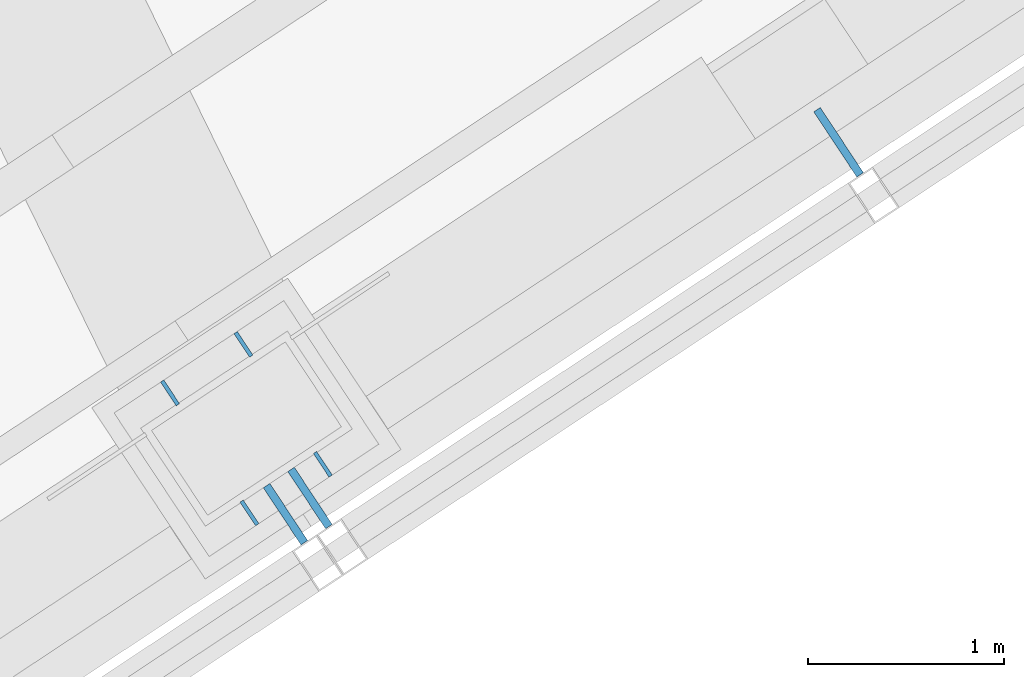
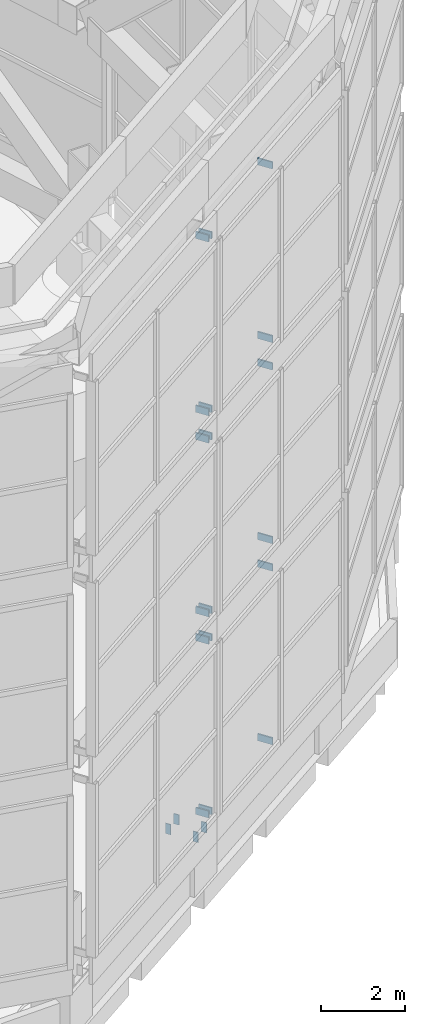
# One storey, part 32 of 46: 22 discrete accessories.
"""IFC4 building model written with IfcOpenShell, lengths in metres."""

from ifc_helpers import new_model, si_unit, direction, frame, origin, origin_2d, place, context, subcontext, project, spatial, rectangle, extrude, material, layer, layer_set, type_object, element, save


model = new_model("IFC4")

# Units and contexts
model_context = context("Model", 3, precision=1e-05, world=origin(), true_north=direction((0.0, 1.0)))
body_context = subcontext(model_context, "Body", "Model", "MODEL_VIEW")
ifc_project = project(units=[si_unit("LENGTHUNIT", "METRE"), si_unit("AREAUNIT", "SQUARE_METRE"), si_unit("VOLUMEUNIT", "CUBIC_METRE"), si_unit("PLANEANGLEUNIT", "RADIAN"), si_unit("MASSUNIT", "GRAM", prefix="KILO")], contexts=[model_context])

# Site, building, storey
site_placement = place(None, origin())
site = spatial("IfcSite", under=ifc_project, at=site_placement, CompositionType="ELEMENT")
building_placement = place(site_placement, origin())
building = spatial("IfcBuilding", under=site, at=building_placement, Name="Vanh Sen Convention Tower", CompositionType="ELEMENT")
storey_placement = place(building_placement, frame((0.0, 0.0, 305.0)))
storey = spatial("IfcBuildingStorey", under=building, at=storey_placement, Name="Roof level", CompositionType="ELEMENT", Elevation=305.0)

# Discrete accessories
ifc_material_1 = material(Name="Steel S355", Category="steel")
ifc_layer = layer(ifc_material_1, 0.02001953125)
ifc_layer_set = layer_set([ifc_layer], Name="Steel S355")
discrete_accessory_type_1 = type_object("IfcDiscreteAccessoryType", Name="Crown base plate stiffener 140 x 300 x 20", PredefinedType="USERDEFINED", material=ifc_layer_set)
for number, where, z_axis, x_axis, name in (
    (1, (8.319580078125, -16.59765625, 1.34521484375), (0.0, 0.0, 1.0), (-0.551936985312, 0.833885822067, 0.0), "STIFFENER crown column 17 rib 1"),
    (2, (7.9443359375, -16.845947265625, 1.34521484375), (0.0, 0.0, 1.0), (-0.551936985312, 0.833885822067, 0.0), "STIFFENER crown column 17 rib 2"),
    (3, (8.725341796875, -17.210693359375, 1.34521484375), (0.0, 0.0, 1.0), (-0.551936985312, 0.833885822067, 0.0), "STIFFENER crown column 17 rib 3"),
    (4, (8.35009765625, -17.458984375, 1.34521484375), (0.0, 0.0, 1.0), (-0.551936985312, 0.833885822067, 0.0), "STIFFENER crown column 17 rib 4"),
):
    element("IfcDiscreteAccessory", number, at=place(storey_placement, frame(where, z_axis=z_axis, x_axis=x_axis)), inside=storey, type_object=discrete_accessory_type_1, Name=name, ObjectType="STIFFENER", PredefinedType="USERDEFINED", context=body_context, shape_type="SweptSolid", body=[
        extrude(rectangle(XDim=0.14501953125, YDim=0.02001953125, at=origin_2d()), origin(), (0.0, 0.0, 1.0), 0.300048828125),
    ])
ifc_material_2 = material(Name="Steel S355", Category="steel")
discrete_accessory_type_2 = type_object("IfcDiscreteAccessoryType", Name="Crown screen bracket 40 x 200", PredefinedType="BRACKET", material=ifc_material_2)
for number, where, z_axis, x_axis, name in (
    (5, (8.534423828125, -17.4658203125, 2.044921875), (0.0, 0.0, 1.0), (0.551929708264, -0.833890638594, 0.0), "Crown screen bracket 16-1-3"),
    (6, (8.534423828125, -17.4658203125, 7.11328125), (0.0, 0.0, 1.0), (0.551929708264, -0.833890638594, 0.0), "Crown screen bracket 16-1-6"),
    (7, (8.534423828125, -17.4658203125, 7.9130859375), (0.0, 0.0, 1.0), (0.551929708264, -0.833890638594, 0.0), "Crown screen bracket 16-2-3"),
    (8, (8.534423828125, -17.4658203125, 12.98193359375), (0.0, 0.0, 1.0), (0.551929708264, -0.833890638594, 0.0), "Crown screen bracket 16-2-6"),
    (9, (8.534423828125, -17.4658203125, 13.78173828125), (0.0, 0.0, 1.0), (0.551929708264, -0.833890638594, 0.0), "Crown screen bracket 16-3-3"),
    (10, (8.534423828125, -17.4658203125, 18.85009765625), (0.0, 0.0, 1.0), (0.551929708264, -0.833890638594, 0.0), "Crown screen bracket 16-3-6"),
    (11, (8.65966796875, -17.383056640625, 2.044921875), (0.0, 0.0, 1.0), (0.551936985312, -0.833885822067, 0.0), "Crown screen bracket 17-1-1"),
):
    element("IfcDiscreteAccessory", number, at=place(storey_placement, frame(where, z_axis=z_axis, x_axis=x_axis)), inside=storey, type_object=discrete_accessory_type_2, Name=name, PredefinedType="BRACKET", context=body_context, shape_type="SweptSolid", body=[
        extrude(rectangle(XDim=0.35009765625, YDim=0.0400390625, at=origin_2d()), origin(), (0.0, 0.0, 1.0), 0.199951171875),
    ])
discrete_accessory_1_placement = place(storey_placement, frame((11.361572265625, -15.564697265625, 2.044921875), z_axis=(0.0, 0.0, 1.0), x_axis=(0.551936985312, -0.833885822067, 0.0)))
element("IfcDiscreteAccessory", 12, at=discrete_accessory_1_placement, inside=storey, type_object=discrete_accessory_type_2, Name="Crown screen bracket 17-1-2", PredefinedType="BRACKET", context=body_context, shape_type="SweptSolid", body=[
    extrude(rectangle(XDim=0.39990234375, YDim=0.0400390625, at=origin_2d()), origin(), (0.0, 0.0, 1.0), 0.199951171875),
])
discrete_accessory_2_placement = place(storey_placement, frame((8.65966796875, -17.383056640625, 7.11328125), z_axis=(0.0, 0.0, 1.0), x_axis=(0.551936985312, -0.833885822067, 0.0)))
element("IfcDiscreteAccessory", 13, at=discrete_accessory_2_placement, inside=storey, type_object=discrete_accessory_type_2, Name="Crown screen bracket 17-1-4", PredefinedType="BRACKET", context=body_context, shape_type="SweptSolid", body=[
    extrude(rectangle(XDim=0.35009765625, YDim=0.0400390625, at=origin_2d()), origin(), (0.0, 0.0, 1.0), 0.199951171875),
])
discrete_accessory_3_placement = place(storey_placement, frame((11.361572265625, -15.564697265625, 7.11328125), z_axis=(0.0, 0.0, 1.0), x_axis=(0.551936985312, -0.833885822067, 0.0)))
element("IfcDiscreteAccessory", 14, at=discrete_accessory_3_placement, inside=storey, type_object=discrete_accessory_type_2, Name="Crown screen bracket 17-1-5", PredefinedType="BRACKET", context=body_context, shape_type="SweptSolid", body=[
    extrude(rectangle(XDim=0.39990234375, YDim=0.0400390625, at=origin_2d()), origin(), (0.0, 0.0, 1.0), 0.199951171875),
])
discrete_accessory_4_placement = place(storey_placement, frame((8.65966796875, -17.383056640625, 7.9130859375), z_axis=(0.0, 0.0, 1.0), x_axis=(0.551936985312, -0.833885822067, 0.0)))
element("IfcDiscreteAccessory", 15, at=discrete_accessory_4_placement, inside=storey, type_object=discrete_accessory_type_2, Name="Crown screen bracket 17-2-1", PredefinedType="BRACKET", context=body_context, shape_type="SweptSolid", body=[
    extrude(rectangle(XDim=0.35009765625, YDim=0.0400390625, at=origin_2d()), origin(), (0.0, 0.0, 1.0), 0.199951171875),
])
discrete_accessory_5_placement = place(storey_placement, frame((11.361572265625, -15.564697265625, 7.9130859375), z_axis=(0.0, 0.0, 1.0), x_axis=(0.551936985312, -0.833885822067, 0.0)))
element("IfcDiscreteAccessory", 16, at=discrete_accessory_5_placement, inside=storey, type_object=discrete_accessory_type_2, Name="Crown screen bracket 17-2-2", PredefinedType="BRACKET", context=body_context, shape_type="SweptSolid", body=[
    extrude(rectangle(XDim=0.39990234375, YDim=0.0400390625, at=origin_2d()), origin(), (0.0, 0.0, 1.0), 0.199951171875),
])
discrete_accessory_6_placement = place(storey_placement, frame((8.65966796875, -17.383056640625, 12.98193359375), z_axis=(0.0, 0.0, 1.0), x_axis=(0.551936985312, -0.833885822067, 0.0)))
element("IfcDiscreteAccessory", 17, at=discrete_accessory_6_placement, inside=storey, type_object=discrete_accessory_type_2, Name="Crown screen bracket 17-2-4", PredefinedType="BRACKET", context=body_context, shape_type="SweptSolid", body=[
    extrude(rectangle(XDim=0.35009765625, YDim=0.0400390625, at=origin_2d()), origin(), (0.0, 0.0, 1.0), 0.199951171875),
])
discrete_accessory_7_placement = place(storey_placement, frame((11.361572265625, -15.564697265625, 12.98193359375), z_axis=(0.0, 0.0, 1.0), x_axis=(0.551936985312, -0.833885822067, 0.0)))
element("IfcDiscreteAccessory", 18, at=discrete_accessory_7_placement, inside=storey, type_object=discrete_accessory_type_2, Name="Crown screen bracket 17-2-5", PredefinedType="BRACKET", context=body_context, shape_type="SweptSolid", body=[
    extrude(rectangle(XDim=0.39990234375, YDim=0.0400390625, at=origin_2d()), origin(), (0.0, 0.0, 1.0), 0.199951171875),
])
discrete_accessory_8_placement = place(storey_placement, frame((8.65966796875, -17.383056640625, 13.78173828125), z_axis=(0.0, 0.0, 1.0), x_axis=(0.551936985312, -0.833885822067, 0.0)))
element("IfcDiscreteAccessory", 19, at=discrete_accessory_8_placement, inside=storey, type_object=discrete_accessory_type_2, Name="Crown screen bracket 17-3-1", PredefinedType="BRACKET", context=body_context, shape_type="SweptSolid", body=[
    extrude(rectangle(XDim=0.35009765625, YDim=0.0400390625, at=origin_2d()), origin(), (0.0, 0.0, 1.0), 0.199951171875),
])
discrete_accessory_9_placement = place(storey_placement, frame((11.361572265625, -15.564697265625, 13.78173828125), z_axis=(0.0, 0.0, 1.0), x_axis=(0.551936985312, -0.833885822067, 0.0)))
element("IfcDiscreteAccessory", 20, at=discrete_accessory_9_placement, inside=storey, type_object=discrete_accessory_type_2, Name="Crown screen bracket 17-3-2", PredefinedType="BRACKET", context=body_context, shape_type="SweptSolid", body=[
    extrude(rectangle(XDim=0.39990234375, YDim=0.0400390625, at=origin_2d()), origin(), (0.0, 0.0, 1.0), 0.199951171875),
])
discrete_accessory_10_placement = place(storey_placement, frame((8.65966796875, -17.383056640625, 18.85009765625), z_axis=(0.0, 0.0, 1.0), x_axis=(0.551936985312, -0.833885822067, 0.0)))
element("IfcDiscreteAccessory", 21, at=discrete_accessory_10_placement, inside=storey, type_object=discrete_accessory_type_2, Name="Crown screen bracket 17-3-4", PredefinedType="BRACKET", context=body_context, shape_type="SweptSolid", body=[
    extrude(rectangle(XDim=0.35009765625, YDim=0.0400390625, at=origin_2d()), origin(), (0.0, 0.0, 1.0), 0.199951171875),
])
discrete_accessory_11_placement = place(storey_placement, frame((11.361572265625, -15.564697265625, 18.85009765625), z_axis=(0.0, 0.0, 1.0), x_axis=(0.551936985312, -0.833885822067, 0.0)))
element("IfcDiscreteAccessory", 22, at=discrete_accessory_11_placement, inside=storey, type_object=discrete_accessory_type_2, Name="Crown screen bracket 17-3-5", PredefinedType="BRACKET", context=body_context, shape_type="SweptSolid", body=[
    extrude(rectangle(XDim=0.39990234375, YDim=0.0400390625, at=origin_2d()), origin(), (0.0, 0.0, 1.0), 0.199951171875),
])

save(model, "model.ifc")
